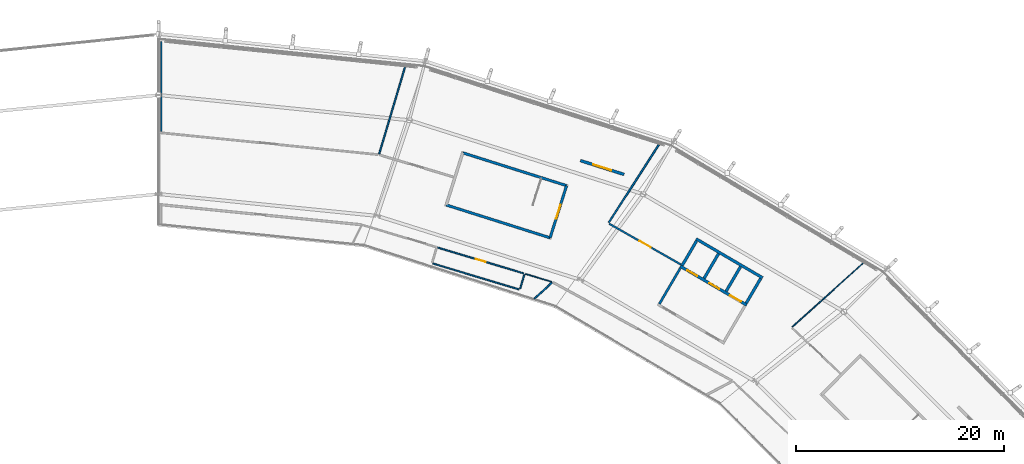
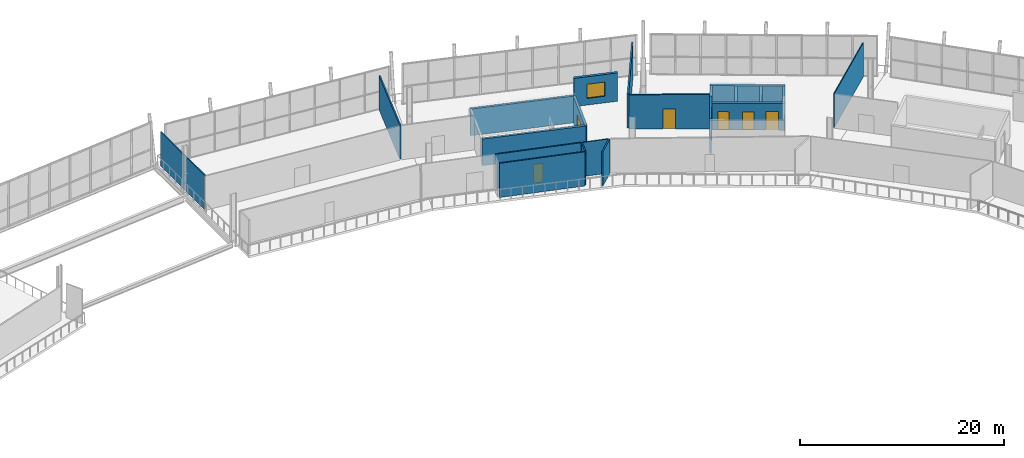
# One storey, part 92 of 99: 21 walls, 6 doors, 1 window, 7 openings.
"""IFC4 building model written with IfcOpenShell, lengths in metres."""

from ifc_helpers import new_model, si_unit, direction, frame, frame_2d, origin, place, context, subcontext, project, spatial, rectangle, extrude, material, layer, layer_set, type_object, element, fill, save


model = new_model("IFC4")

# Units and contexts
model_context = context("Model", 3, precision=1e-05, world=origin(), true_north=direction((0.0, 1.0)))
body_context = subcontext(model_context, "Body", "Model", "MODEL_VIEW")
ifc_project = project(units=[si_unit("LENGTHUNIT", "METRE"), si_unit("AREAUNIT", "SQUARE_METRE"), si_unit("VOLUMEUNIT", "CUBIC_METRE"), si_unit("PLANEANGLEUNIT", "RADIAN"), si_unit("MASSUNIT", "GRAM", prefix="KILO")], contexts=[model_context])

# Site, building, storey
site_placement = place(None, origin())
site = spatial("IfcSite", under=ifc_project, at=site_placement, CompositionType="ELEMENT")
building_placement = place(site_placement, origin())
building = spatial("IfcBuilding", under=site, at=building_placement, Name="Zlatoyarsky Gate Stadium", CompositionType="ELEMENT")
storey_placement = place(building_placement, frame((0.0, 0.0, 26.199951171875)))
storey = spatial("IfcBuildingStorey", under=building, at=storey_placement, Name="L05", CompositionType="ELEMENT", Elevation=26.199951171875)

# Wall, opening, door
ifc_material_1 = material(Name="Double-stud acoustic gypsum partition", Category="gypsum")
ifc_layer_1 = layer(ifc_material_1, 0.169921875)
ifc_layer_set_1 = layer_set([ifc_layer_1], Name="Double-stud acoustic gypsum partition")
wall_type_1 = type_object("IfcWallType", Name="ACOUSTIC BROADCAST STUDIO WALL 170", PredefinedType="PARTITIONING", material=ifc_layer_set_1)
wall_1_placement = place(storey_placement, frame((161.12646484375, 134.732421875, 0.0), z_axis=(0.0, 0.0, 1.0), x_axis=(-0.869144235836, 0.494558689452, 0.0)))
wall_1 = element("IfcWall", 1, at=wall_1_placement, inside=storey, type_object=wall_type_1, Name="L05 interior partition PRT-L05-OCC-03-1", PredefinedType="PARTITIONING", context=body_context, shape_type="SweptSolid", body=[
    extrude(rectangle(XDim=7.9404296875, YDim=0.169921875, at=frame_2d((3.97021484375, 0.0))), origin(), (0.0, 0.0, 1.0), 4.10009765625),
])
opening_1_placement = place(wall_1_placement, frame((3.350341796875, 0.0, 0.0)))
opening_1 = element("IfcOpeningElement", 2, at=opening_1_placement, cuts=wall_1, Name="Opening D-L05-670", PredefinedType="OPENING", context=body_context, shape_type="SweptSolid", body=[
    extrude(rectangle(XDim=1.239990234375, YDim=2.3798828125, at=frame_2d((0.6201171875, 1.18994140625))), frame((0.0, 0.094970703125, 0.0), z_axis=(0.0, -1.0, 0.0), x_axis=(1.0, 0.0, 0.0)), (0.0, 0.0, 1.0), 0.18994140625),
])
ifc_material_2 = material(Name="Powder-coated steel fire door", Category="steel")
door_type_1 = type_object("IfcDoorType", Name="ACOUSTIC INTERIOR DOOR 1240X2380", OperationType="NOTDEFINED", PredefinedType="DOOR", material=ifc_material_2)
door_1_placement = place(opening_1_placement, origin())
door_1 = element("IfcDoor", 3, at=door_1_placement, inside=storey, type_object=door_type_1, Name="L05 room door D-L05-670", OperationType="SINGLE_SWING_LEFT", OverallHeight=2.3798828125, OverallWidth=1.239990234375, PredefinedType="DOOR", context=body_context, shape_type="SweptSolid", body=[
    extrude(rectangle(XDim=1.239990234375, YDim=2.3798828125, at=frame_2d((0.6201171875, 1.18994140625))), frame((0.0, 0.02490234375, 0.0), z_axis=(0.0, -1.0, 0.0), x_axis=(1.0, 0.0, 0.0)), (0.0, 0.0, 1.0), 0.050048828125),
])
fill(opening_1, door_1)

# Walls
ifc_material_3 = material(Name="Moisture-resistant masonry partition", Category="masonry")
ifc_layer_2 = layer(ifc_material_3, 0.139892578125)
ifc_layer_set_2 = layer_set([ifc_layer_2], Name="Moisture-resistant masonry partition")
wall_type_2 = type_object("IfcWallType", Name="ATHLETE CHANGING BLOCK PARTITION 140", PredefinedType="PARTITIONING", material=ifc_layer_set_2)
wall_2_placement = place(storey_placement, frame((132.16259765625, 145.359619140625, 0.0), z_axis=(0.0, 0.0, 1.0), x_axis=(0.285967312816, 0.958239373017, 0.0)))
element("IfcWall", 4, at=wall_2_placement, inside=storey, type_object=wall_type_2, Name="L05 interior partition PRT-L05-ORD-04R", PredefinedType="PARTITIONING", context=body_context, shape_type="SweptSolid", body=[
    extrude(rectangle(XDim=8.681640625, YDim=0.139892578125, at=frame_2d((4.3408203125, 0.0))), origin(), (0.0, 0.0, 1.0), 4.10009765625),
])
ifc_material_4 = material(Name="Metal-stud gypsum partition", Category="gypsum")
ifc_layer_3 = layer(ifc_material_4, 0.14990234375)
ifc_layer_set_3 = layer_set([ifc_layer_3], Name="Metal-stud gypsum partition")
wall_type_3 = type_object("IfcWallType", Name="CONCOURSE CORRIDOR PARTITION 150", PredefinedType="PARTITIONING", material=ifc_layer_set_3)
wall_3_placement = place(storey_placement, frame((147.056396484375, 131.456787109375, 0.0), z_axis=(0.0, 0.0, 1.0), x_axis=(0.737682855415, 0.67514739489, 0.0)))
element("IfcWall", 5, at=wall_3_placement, inside=storey, type_object=wall_type_3, Name="L05 interior partition PRT-L05-IRD-04", PredefinedType="PARTITIONING", context=body_context, shape_type="SweptSolid", body=[
    extrude(rectangle(XDim=2.280029296875, YDim=0.14990234375, at=frame_2d((1.14013671875, 0.0))), origin(), (0.0, 0.0, 1.0), 4.10009765625),
])
ifc_material_5 = material(Name="Concrete C40/50", Category="concrete")
ifc_layer_4 = layer(ifc_material_5, 0.27001953125)
ifc_layer_set_4 = layer_set([ifc_layer_4], Name="Concrete C40/50")
wall_type_4 = type_object("IfcWallType", Name="CONCRETE LIFT SHAFT SHEAR WALL 270", PredefinedType="SHEAR", material=ifc_layer_set_4)
wall_4_placement = place(storey_placement, frame((168.962646484375, 133.458984375, 0.0), z_axis=(0.0, 0.0, 1.0), x_axis=(-0.862865684113, 0.505433290534, 0.0)))
element("IfcWall", 6, at=wall_4_placement, inside=storey, type_object=wall_type_4, Name="C1 L05 lift shaft rear wall", PredefinedType="SHEAR", context=body_context, shape_type="SweptSolid", body=[
    extrude(rectangle(XDim=7.400146484375, YDim=0.27001953125, at=frame_2d((3.7001953125, 0.0))), origin(), (0.0, 0.0, 1.0), 3.199951171875),
])
for number, where, z_axis, x_axis, name in (
    (7, (168.772705078125, 133.402099609375, 0.0), (0.0, 0.0, 1.0), (-0.505465660416, -0.862846722275, 0.0), "C1 L05 lift shaft left wall"),
    (8, (162.62060546875, 137.006103515625, 0.0), (0.0, 0.0, 1.0), (-0.505465660416, -0.862846722275, 0.0), "C1 L05 lift shaft right wall"),
):
    element("IfcWall", number, at=place(storey_placement, frame(where, z_axis=z_axis, x_axis=x_axis)), inside=storey, type_object=wall_type_4, Name=name, PredefinedType="SHEAR", context=body_context, shape_type="SweptSolid", body=[
        extrude(rectangle(XDim=2.739990234375, YDim=0.27001953125, at=frame_2d((1.3701171875, 0.0))), origin(), (0.0, 0.0, 1.0), 3.199951171875),
    ])
wall_5_placement = place(storey_placement, frame((166.840087890625, 134.5341796875, 0.0), z_axis=(0.0, 0.0, 1.0), x_axis=(-0.505504523015, -0.862823954936, 0.0)))
element("IfcWall", 9, at=wall_5_placement, inside=storey, type_object=wall_type_4, Name="C1 L05 lift shaft divider 1", PredefinedType="SHEAR", context=body_context, shape_type="SweptSolid", body=[
    extrude(rectangle(XDim=2.73974609375, YDim=0.27001953125, at=frame_2d((1.369873046875, 0.0))), origin(), (0.0, 0.0, 1.0), 3.199951171875),
])
wall_6_placement = place(storey_placement, frame((164.72607421875, 135.772705078125, 0.0), z_axis=(0.0, 0.0, 1.0), x_axis=(-0.505465660416, -0.862846722275, 0.0)))
element("IfcWall", 10, at=wall_6_placement, inside=storey, type_object=wall_type_4, Name="C1 L05 lift shaft divider 2", PredefinedType="SHEAR", context=body_context, shape_type="SweptSolid", body=[
    extrude(rectangle(XDim=2.739990234375, YDim=0.27001953125, at=frame_2d((1.3701171875, 0.0))), origin(), (0.0, 0.0, 1.0), 3.199951171875),
])

# Wall, openings, doors
wall_7_placement = place(storey_placement, frame((167.430908203125, 130.844482421875, 0.0), z_axis=(0.0, 0.0, 1.0), x_axis=(-0.862842866418, 0.505472242434, 0.0)))
wall_7 = element("IfcWall", 11, at=wall_7_placement, inside=storey, type_object=wall_type_4, Name="C1 L05 lift landing front wall", PredefinedType="SHEAR", context=body_context, shape_type="SweptSolid", body=[
    extrude(rectangle(XDim=7.39990234375, YDim=0.27001953125, at=frame_2d((3.699951171875, 0.0))), origin(), (0.0, 0.0, 1.0), 3.199951171875),
])
opening_2_placement = place(wall_7_placement, frame((0.64990234375, 0.0, 0.0)))
opening_2 = element("IfcOpeningElement", 12, at=opening_2_placement, cuts=wall_7, Name="Opening LD-FL-01-L05", PredefinedType="OPENING", context=body_context, shape_type="SweptSolid", body=[
    extrude(rectangle(XDim=1.199951171875, YDim=2.25, at=frame_2d((0.60009765625, 1.125))), frame((0.0, 0.14501953125, 0.0), z_axis=(0.0, -1.0, 0.0), x_axis=(1.0, 0.0, 0.0)), (0.0, 0.0, 1.0), 0.2900390625),
])
opening_3_placement = place(wall_7_placement, frame((3.050048828125, 0.0, 0.0)))
opening_3 = element("IfcOpeningElement", 13, at=opening_3_placement, cuts=wall_7, Name="Opening LD-LF-01-L05", PredefinedType="OPENING", context=body_context, shape_type="SweptSolid", body=[
    extrude(rectangle(XDim=1.10009765625, YDim=2.199951171875, at=frame_2d((0.550048828125, 1.10009765625))), frame((0.0, 0.14501953125, 0.0), z_axis=(0.0, -1.0, 0.0), x_axis=(1.0, 0.0, 0.0)), (0.0, 0.0, 1.0), 0.2900390625),
])
opening_4_placement = place(wall_7_placement, frame((5.5, 0.0, 0.0)))
opening_4 = element("IfcOpeningElement", 14, at=opening_4_placement, cuts=wall_7, Name="Opening LD-LF-02-L05", PredefinedType="OPENING", context=body_context, shape_type="SweptSolid", body=[
    extrude(rectangle(XDim=1.10009765625, YDim=2.199951171875, at=frame_2d((0.550048828125, 1.10009765625))), frame((0.0, 0.14501953125, 0.0), z_axis=(0.0, -1.0, 0.0), x_axis=(1.0, 0.0, 0.0)), (0.0, 0.0, 1.0), 0.2900390625),
])
door_type_2 = type_object("IfcDoorType", Name="STAINLESS LIFT LANDING SLIDING DOOR 1100X2200", OperationType="DOUBLE_DOOR_SLIDING", PredefinedType="DOOR", material=ifc_material_2)
door_2_placement = place(opening_3_placement, origin())
door_2 = element("IfcDoor", 15, at=door_2_placement, inside=storey, type_object=door_type_2, Name="Lift LF-01 L05 sliding landing door", OperationType="DOUBLE_DOOR_SLIDING", OverallHeight=2.199951171875, OverallWidth=1.10009765625, PredefinedType="DOOR", context=body_context, shape_type="SweptSolid", body=[
    extrude(rectangle(XDim=1.10009765625, YDim=2.199951171875, at=frame_2d((0.550048828125, 1.10009765625))), frame((0.0, 0.02490234375, 0.0), z_axis=(0.0, -1.0, 0.0), x_axis=(1.0, 0.0, 0.0)), (0.0, 0.0, 1.0), 0.050048828125),
])
fill(opening_3, door_2)
door_3_placement = place(opening_4_placement, origin())
door_3 = element("IfcDoor", 16, at=door_3_placement, inside=storey, type_object=door_type_2, Name="Lift LF-02 L05 sliding landing door", OperationType="DOUBLE_DOOR_SLIDING", OverallHeight=2.199951171875, OverallWidth=1.10009765625, PredefinedType="DOOR", context=body_context, shape_type="SweptSolid", body=[
    extrude(rectangle(XDim=1.10009765625, YDim=2.199951171875, at=frame_2d((0.550048828125, 1.10009765625))), frame((0.0, 0.02490234375, 0.0), z_axis=(0.0, -1.0, 0.0), x_axis=(1.0, 0.0, 0.0)), (0.0, 0.0, 1.0), 0.050048828125),
])
fill(opening_4, door_3)
door_type_3 = type_object("IfcDoorType", Name="STAINLESS LIFT LANDING SLIDING DOOR 1200X2250", OperationType="DOUBLE_DOOR_SLIDING", PredefinedType="DOOR", material=ifc_material_2)
door_4_placement = place(opening_2_placement, origin())
door_4 = element("IfcDoor", 17, at=door_4_placement, inside=storey, type_object=door_type_3, Name="Lift FL-01 L05 sliding landing door", OperationType="DOUBLE_DOOR_SLIDING", OverallHeight=2.25, OverallWidth=1.199951171875, PredefinedType="DOOR", context=body_context, shape_type="SweptSolid", body=[
    extrude(rectangle(XDim=1.199951171875, YDim=2.25, at=frame_2d((0.60009765625, 1.125))), frame((0.0, 0.02490234375, 0.0), z_axis=(0.0, -1.0, 0.0), x_axis=(1.0, 0.0, 0.0)), (0.0, 0.0, 1.0), 0.050048828125),
])
fill(opening_2, door_4)

# Wall, opening, door
ifc_layer_5 = layer(ifc_material_5, 0.25)
ifc_layer_set_5 = layer_set([ifc_layer_5], Name="Concrete C40/50")
wall_type_5 = type_object("IfcWallType", Name="CONCRETE STAIR CORE SHEAR WALL 250", PredefinedType="SHEAR", material=ifc_layer_set_5)
wall_8_placement = place(storey_placement, frame((148.563232421875, 137.30126953125, 0.0), z_axis=(0.0, 0.0, 1.0), x_axis=(0.30152749866, 0.953457480726, 0.0)))
wall_8 = element("IfcWall", 18, at=wall_8_placement, inside=storey, type_object=wall_type_5, Name="ST-03 L05 stair core entrance shear wall", PredefinedType="SHEAR", context=body_context, shape_type="SweptSolid", body=[
    extrude(rectangle(XDim=5.25, YDim=0.25, at=frame_2d((2.625, 0.0))), origin(), (0.0, 0.0, 1.0), 3.199951171875),
])
opening_5_placement = place(wall_8_placement, frame((1.925048828125, 0.0, 0.0)))
opening_5 = element("IfcOpeningElement", 19, at=opening_5_placement, cuts=wall_8, Name="Opening SD-ST-03-L05", PredefinedType="OPENING", context=body_context, shape_type="SweptSolid", body=[
    extrude(rectangle(XDim=1.39990234375, YDim=2.199951171875, at=frame_2d((0.699951171875, 1.10009765625))), frame((0.0, 0.135009765625, 0.0), z_axis=(0.0, -1.0, 0.0), x_axis=(1.0, 0.0, 0.0)), (0.0, 0.0, 1.0), 0.27001953125),
])
door_type_4 = type_object("IfcDoorType", Name="STAIR CORE FIRE EXIT DOOR 1400X2200", OperationType="NOTDEFINED", PredefinedType="DOOR", material=ifc_material_2)
door_5_placement = place(opening_5_placement, frame((1.39990234375, 0.0, 0.0), z_axis=(0.0, 0.0, 1.0), x_axis=(-1.0, 0.0, 0.0)))
door_5 = element("IfcDoor", 20, at=door_5_placement, inside=storey, type_object=door_type_4, Name="ST-03 L05 stair fire door", OperationType="SINGLE_SWING_RIGHT", OverallHeight=2.199951171875, OverallWidth=1.39990234375, PredefinedType="DOOR", context=body_context, shape_type="SweptSolid", body=[
    extrude(rectangle(XDim=1.39990234375, YDim=2.199951171875, at=frame_2d((0.699951171875, 1.10009765625))), frame((0.0, 0.02490234375, 0.0), z_axis=(0.0, -1.0, 0.0), x_axis=(1.0, 0.0, 0.0)), (0.0, 0.0, 1.0), 0.050048828125),
])
fill(opening_5, door_5)

# Walls
wall_9_placement = place(storey_placement, frame((150.146240234375, 142.306884765625, 0.0), z_axis=(0.0, 0.0, 1.0), x_axis=(-0.953461834254, 0.301513732061, 0.0)))
element("IfcWall", 21, at=wall_9_placement, inside=storey, type_object=wall_type_5, Name="ST-03 L05 stair core left shear wall", PredefinedType="SHEAR", context=body_context, shape_type="SweptSolid", body=[
    extrude(rectangle(XDim=10.4501953125, YDim=0.25, at=frame_2d((5.22509765625, 0.0))), origin(), (0.0, 0.0, 1.0), 3.199951171875),
])
wall_10_placement = place(storey_placement, frame((138.599609375, 140.4521484375, 0.0), z_axis=(0.0, 0.0, 1.0), x_axis=(0.953459710305, -0.301520448438, 0.0)))
element("IfcWall", 22, at=wall_10_placement, inside=storey, type_object=wall_type_5, Name="ST-03 L05 stair core right shear wall", PredefinedType="SHEAR", context=body_context, shape_type="SweptSolid", body=[
    extrude(rectangle(XDim=10.449951171875, YDim=0.25, at=frame_2d((5.22509765625, 0.0))), origin(), (0.0, 0.0, 1.0), 3.199951171875),
])
ifc_material_6 = material(Name="Autoclaved aerated concrete masonry EI 120", Category="masonry")
ifc_layer_6 = layer(ifc_material_6, 0.219970703125)
ifc_layer_set_6 = layer_set([ifc_layer_6], Name="Autoclaved aerated concrete masonry EI 120")
wall_type_6 = type_object("IfcWallType", Name="FIREFIGHTING LOBBY RATED WALL 220", PredefinedType="PARTITIONING", material=ifc_layer_set_6)
wall_11_placement = place(storey_placement, frame((161.0625, 134.3955078125, 0.0), z_axis=(0.0, 0.0, 1.0), x_axis=(-0.505464443681, -0.862847435051, 0.0)))
element("IfcWall", 23, at=wall_11_placement, inside=storey, type_object=wall_type_6, Name="C1 L05 firefighting lobby right wall", PredefinedType="PARTITIONING", context=body_context, shape_type="SweptSolid", body=[
    extrude(rectangle(XDim=3.97998046875, YDim=0.219970703125, at=frame_2d((1.989990234375, 0.0))), origin(), (0.0, 0.0, 1.0), 4.10009765625),
])
ifc_material_7 = material(Name="Timber-veneered acoustic operable partition", Category="wood")
ifc_layer_7 = layer(ifc_material_7, 0.094970703125)
ifc_layer_set_7 = layer_set([ifc_layer_7], Name="Timber-veneered acoustic operable partition")
wall_type_7 = type_object("IfcWallType", Name="FOLDING BANQUET SALON WALL 95", PredefinedType="MOVABLE", material=ifc_layer_set_7)
wall_12_placement = place(storey_placement, frame((171.802001953125, 128.7509765625, 0.0), z_axis=(0.0, 0.0, 1.0), x_axis=(0.743804137663, 0.668397639729, 0.0)))
element("IfcWall", 24, at=wall_12_placement, inside=storey, type_object=wall_type_7, Name="L05 interior partition PRT-L05-ORD-02R", PredefinedType="MOVABLE", context=body_context, shape_type="SweptSolid", body=[
    extrude(rectangle(XDim=9.13671875, YDim=0.094970703125, at=frame_2d((4.568359375, 0.0))), origin(), (0.0, 0.0, 1.0), 4.10009765625),
])
ifc_material_8 = material(Name="Acoustic metal-stud gypsum partition", Category="gypsum")
ifc_layer_8 = layer(ifc_material_8, 0.159912109375)
ifc_layer_set_8 = layer_set([ifc_layer_8], Name="Acoustic metal-stud gypsum partition")
wall_type_8 = type_object("IfcWallType", Name="HOSPITALITY SUITE PARTITION 160", PredefinedType="PARTITIONING", material=ifc_layer_set_8)
wall_13_placement = place(storey_placement, frame((154.197021484375, 138.77294921875, 0.0), z_axis=(0.0, 0.0, 1.0), x_axis=(0.540782620354, 0.841162384753, 0.0)))
element("IfcWall", 25, at=wall_13_placement, inside=storey, type_object=wall_type_8, Name="L05 interior partition PRT-L05-ORD-03R", PredefinedType="PARTITIONING", context=body_context, shape_type="SweptSolid", body=[
    extrude(rectangle(XDim=8.873779296875, YDim=0.159912109375, at=frame_2d((4.43701171875, 0.0))), origin(), (0.0, 0.0, 1.0), 4.10009765625),
])

# Wall, opening, window
ifc_material_9 = material(Name="Precast concrete C40/50 architectural panel", Category="concrete")
ifc_layer_9 = layer(ifc_material_9, 0.280029296875)
ifc_layer_set_9 = layer_set([ifc_layer_9], Name="Precast concrete C40/50 architectural panel")
wall_type_9 = type_object("IfcWallType", Name="INSULATED WING SPANDREL WALL 280", PredefinedType="STANDARD", material=ifc_layer_set_9)
wall_14_placement = place(storey_placement, frame((155.660888671875, 143.381591796875, 0.0), z_axis=(0.0, 0.0, 1.0), x_axis=(-0.953092511753, 0.302679143716, 0.0)))
wall_14 = element("IfcWall", 26, at=wall_14_placement, inside=storey, type_object=wall_type_9, Name="L05 clerestory lantern wall 02", PredefinedType="STANDARD", context=body_context, shape_type="SweptSolid", body=[
    extrude(rectangle(XDim=4.39990234375, YDim=0.280029296875, at=frame_2d((2.199951171875, 0.0))), origin(), (0.0, 0.0, 1.0), 3.400146484375),
])
opening_6_placement = place(wall_14_placement, frame((1.300048828125, 0.0, 0.800048828125)))
opening_6 = element("IfcOpeningElement", 27, at=opening_6_placement, cuts=wall_14, Name="Opening SK-02", PredefinedType="OPENING", context=body_context, shape_type="SweptSolid", body=[
    extrude(rectangle(XDim=1.800048828125, YDim=1.699951171875, at=frame_2d((0.89990234375, 0.85009765625))), frame((0.0, 0.14990234375, 0.0), z_axis=(0.0, -1.0, 0.0), x_axis=(1.0, 0.0, 0.0)), (0.0, 0.0, 1.0), 0.300048828125),
])
ifc_material_10 = material(Name="Triple-glazed thermally broken aluminium skylight", Category="aluminium")
window_type = type_object("IfcWindowType", Name="INSULATED ROOF SMOKE VENT SKYLIGHT 1800X1700", PartitioningType="SINGLE_PANEL", PredefinedType="SKYLIGHT", material=ifc_material_10)
window_placement = place(opening_6_placement, origin())
window = element("IfcWindow", 28, at=window_placement, inside=storey, type_object=window_type, Name="Clerestory smoke vent skylight SKY-02", OverallHeight=1.699951171875, OverallWidth=1.800048828125, PartitioningType="SINGLE_PANEL", PredefinedType="SKYLIGHT", context=body_context, shape_type="SweptSolid", body=[
    extrude(rectangle(XDim=1.800048828125, YDim=1.699951171875, at=frame_2d((0.89990234375, 0.85009765625))), frame((0.0, 0.030029296875, 0.0), z_axis=(0.0, -1.0, 0.0), x_axis=(1.0, 0.0, 0.0)), (0.0, 0.0, 1.0), 0.06005859375),
])
fill(opening_6, window)

# Walls
ifc_layer_10 = layer(ifc_material_4, 0.10009765625)
ifc_layer_set_10 = layer_set([ifc_layer_10], Name="Metal-stud gypsum partition")
wall_type_10 = type_object("IfcWallType", Name="LIGHT STORAGE PARTITION 100", PredefinedType="PARTITIONING", material=ifc_layer_set_10)
wall_15_placement = place(storey_placement, frame((148.7197265625, 133.078125, 0.0), z_axis=(0.0, 0.0, 1.0), x_axis=(-0.95766772698, 0.287875884196, 0.0)))
element("IfcWall", 29, at=wall_15_placement, inside=storey, type_object=wall_type_10, Name="L05 interior partition PRT-L05-WCL-04", PredefinedType="PARTITIONING", context=body_context, shape_type="SweptSolid", body=[
    extrude(rectangle(XDim=2.6298828125, YDim=0.10009765625, at=frame_2d((1.31494140625, 0.0))), origin(), (0.0, 0.0, 1.0), 4.10009765625),
])
ifc_layer_11 = layer(ifc_material_4, 0.1201171875)
ifc_layer_set_11 = layer_set([ifc_layer_11], Name="Metal-stud gypsum partition")
wall_type_11 = type_object("IfcWallType", Name="OFFICE AND PRESS PARTITION 120", PredefinedType="PARTITIONING", material=ifc_layer_set_11)
wall_16_placement = place(storey_placement, frame((111.248779296875, 147.510009765625, 0.0), z_axis=(0.0, 0.0, 1.0), x_axis=(0.0, 1.0, 0.0)))
element("IfcWall", 30, at=wall_16_placement, inside=storey, type_object=wall_type_11, Name="L05 interior partition PRT-L05-ORD-05R", PredefinedType="PARTITIONING", context=body_context, shape_type="SweptSolid", body=[
    extrude(rectangle(XDim=8.6083984375, YDim=0.1201171875, at=frame_2d((4.30419921875, 0.0))), origin(), (0.0, 0.0, 1.0), 4.10009765625),
])

# Wall, opening, door
ifc_material_11 = material(Name="Moisture-resistant tile-backed partition", Category="gypsum")
ifc_layer_12 = layer(ifc_material_11, 0.1298828125)
ifc_layer_set_12 = layer_set([ifc_layer_12], Name="Moisture-resistant tile-backed partition")
wall_type_12 = type_object("IfcWallType", Name="SANITARY WET ROOM PARTITION 130", PredefinedType="PARTITIONING", material=ifc_layer_set_12)
wall_17_placement = place(storey_placement, frame((146.038330078125, 133.88427734375, 0.0), z_axis=(0.0, 0.0, 1.0), x_axis=(-0.957659501047, 0.28790324773, 0.0)))
wall_17 = element("IfcWall", 31, at=wall_17_placement, inside=storey, type_object=wall_type_12, Name="L05 interior partition PRT-L05-WC04-F", PredefinedType="PARTITIONING", context=body_context, shape_type="SweptSolid", body=[
    extrude(rectangle(XDim=8.630126953125, YDim=0.1298828125, at=frame_2d((4.31494140625, 0.0))), origin(), (0.0, 0.0, 1.0), 4.10009765625),
])
opening_7_placement = place(wall_17_placement, frame((3.8349609375, 0.0, 0.0)))
opening_7 = element("IfcOpeningElement", 32, at=opening_7_placement, cuts=wall_17, Name="Opening D-L05-613", PredefinedType="OPENING", context=body_context, shape_type="SweptSolid", body=[
    extrude(rectangle(XDim=0.9599609375, YDim=2.239990234375, at=frame_2d((0.47998046875, 1.1201171875))), frame((0.0, 0.074951171875, 0.0), z_axis=(0.0, -1.0, 0.0), x_axis=(1.0, 0.0, 0.0)), (0.0, 0.0, 1.0), 0.14990234375),
])
ifc_material_12 = material(Name="Solid-core oak veneer acoustic door", Category="wood")
door_type_5 = type_object("IfcDoorType", Name="ACOUSTIC INTERIOR DOOR 960X2240", OperationType="NOTDEFINED", PredefinedType="DOOR", material=ifc_material_12)
door_6_placement = place(opening_7_placement, origin())
door_6 = element("IfcDoor", 33, at=door_6_placement, inside=storey, type_object=door_type_5, Name="L05 room door D-L05-613", OperationType="SINGLE_SWING_LEFT", OverallHeight=2.239990234375, OverallWidth=0.9599609375, PredefinedType="DOOR", context=body_context, shape_type="SweptSolid", body=[
    extrude(rectangle(XDim=0.9599609375, YDim=2.239990234375, at=frame_2d((0.47998046875, 1.1201171875))), frame((0.0, 0.02490234375, 0.0), z_axis=(0.0, -1.0, 0.0), x_axis=(1.0, 0.0, 0.0)), (0.0, 0.0, 1.0), 0.050048828125),
])
fill(opening_7, door_6)

# Walls
wall_18_placement = place(storey_placement, frame((145.57763671875, 132.35205078125, 0.0), z_axis=(0.0, 0.0, 1.0), x_axis=(-0.957659501047, 0.28790324773, 0.0)))
element("IfcWall", 34, at=wall_18_placement, inside=storey, type_object=wall_type_12, Name="L05 interior partition PRT-L05-WC04-B", PredefinedType="PARTITIONING", context=body_context, shape_type="SweptSolid", body=[
    extrude(rectangle(XDim=8.630126953125, YDim=0.1298828125, at=frame_2d((4.31494140625, 0.0))), origin(), (0.0, 0.0, 1.0), 4.10009765625),
])
wall_19_placement = place(storey_placement, frame((146.09521484375, 133.7783203125, 0.0), z_axis=(0.0, 0.0, 1.0), x_axis=(-0.287864757812, -0.957671071511, 0.0)))
element("IfcWall", 35, at=wall_19_placement, inside=storey, type_object=wall_type_12, Name="L05 interior partition PRT-L05-WC04-L", PredefinedType="PARTITIONING", context=body_context, shape_type="SweptSolid", body=[
    extrude(rectangle(XDim=1.429931640625, YDim=0.1298828125, at=frame_2d((0.71484375, 0.0))), origin(), (0.0, 0.0, 1.0), 4.10009765625),
])

save(model, "model.ifc")
